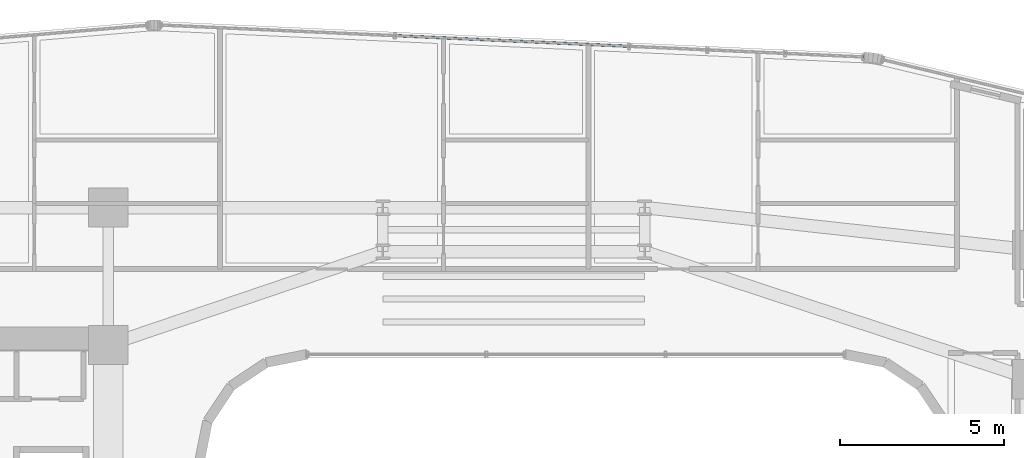
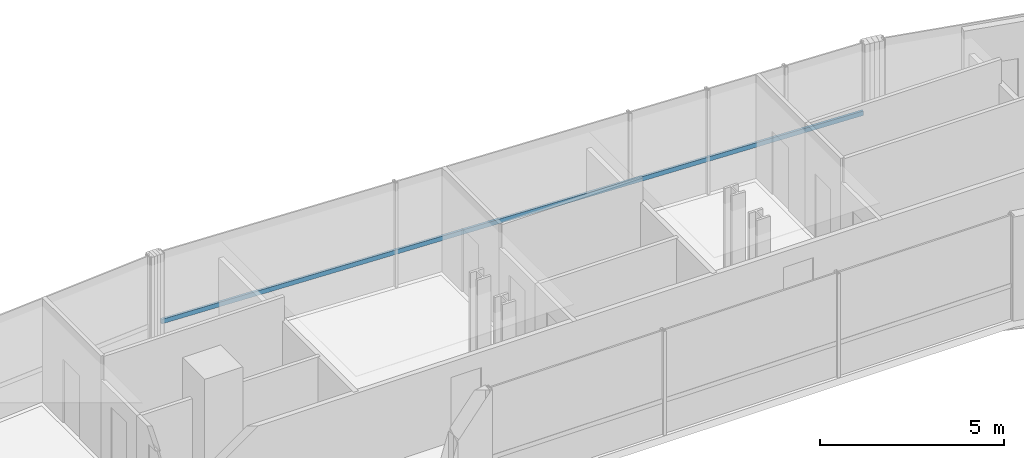
# One storey, part 23 of 38: 1 member, 1 element without a shape of its own.
"""IFC4 building model written with IfcOpenShell, lengths in metres."""

from ifc_helpers import new_model, si_unit, direction, frame, origin, origin_2d, place, context, subcontext, project, spatial, hollow_rectangle, extrude, source, transform, mapped, material, material_profile, profile_set, type_object, element, aggregate, save


model = new_model("IFC4")

# Units and contexts
model_context = context("Model", 3, precision=1e-05, world=origin(), true_north=direction((0.0, 1.0)))
body_context = subcontext(model_context, "Body", "Model", "MODEL_VIEW")
ifc_project = project(units=[si_unit("LENGTHUNIT", "METRE"), si_unit("AREAUNIT", "SQUARE_METRE"), si_unit("VOLUMEUNIT", "CUBIC_METRE"), si_unit("PLANEANGLEUNIT", "RADIAN"), si_unit("MASSUNIT", "GRAM", prefix="KILO")], contexts=[model_context])

# Site, building, storey
site_placement = place(None, origin())
site = spatial("IfcSite", under=ifc_project, at=site_placement, CompositionType="ELEMENT")
building_placement = place(site_placement, origin())
building = spatial("IfcBuilding", under=site, at=building_placement, Name="Valdorenza Pilgrim Sanctuary Tower", CompositionType="ELEMENT")
storey_placement = place(building_placement, frame((0.0, 0.0, 131.60009765625)))
storey = spatial("IfcBuildingStorey", under=building, at=storey_placement, Name="L33", CompositionType="ELEMENT", Elevation=131.60009765625)

# Curtain wall, member
ifc_material_1 = material(Name="Curtain-wall IGU glazing", Category="glass")
curtain_wall_type = type_object("IfcCurtainWallType", Name="CW-SYS-02", PredefinedType="NOTDEFINED", material=ifc_material_1)
curtain_wall_placement = place(storey_placement, origin())
curtain_wall = element("IfcCurtainWall", 1, at=curtain_wall_placement, inside=storey, type_object=curtain_wall_type, Name="L33 Curtain Wall CW-L33-1-11", PredefinedType="NOTDEFINED")
ifc_material_2 = material(Name="Anodised aluminium AW-6060", Category="aluminium")
ifc_material_profile = material_profile(ifc_material_2, hollow_rectangle(XDim=0.074951171875, YDim=0.14990234375, WallThickness=0.00390625, at=origin_2d()), Name="ALU-T 150x75x4")
ifc_profile_set = profile_set([ifc_material_profile], Name="Anodised aluminium AW-6060")
member_type = type_object("IfcMemberType", Name="CW-TRN-02", PredefinedType="USERDEFINED", material=ifc_profile_set)
shared_shape = source(origin(), body_context, "Body", "SweptSolid", [
    extrude(hollow_rectangle(XDim=0.074951171875, YDim=0.14990234375, WallThickness=0.00390625, at=origin_2d()), origin(), (0.0, 0.0, 1.0), 21.5078125),
])
member_placement = place(storey_placement, frame((-10.795654296875, 20.380615234375, 1.119873046875), z_axis=(0.99896865723, -0.045405086403, 0.0), x_axis=(0.045405086403, 0.99896865723, 0.0)))
member = element("IfcMember", 2, at=member_placement, type_object=member_type, Name="CW-L33-1-11 Transom 1", ObjectType="TRANSOM", PredefinedType="USERDEFINED", context=body_context, shape_type="MappedRepresentation", body=[
    mapped(shared_shape, transform((0.0, 0.0, 0.0), x_axis=(1.0, 0.0, 0.0), y_axis=(0.0, 1.0, 0.0), z_axis=(0.0, 0.0, 1.0), scale=1.0)),
])
aggregate(curtain_wall, [member])

save(model, "model.ifc")
